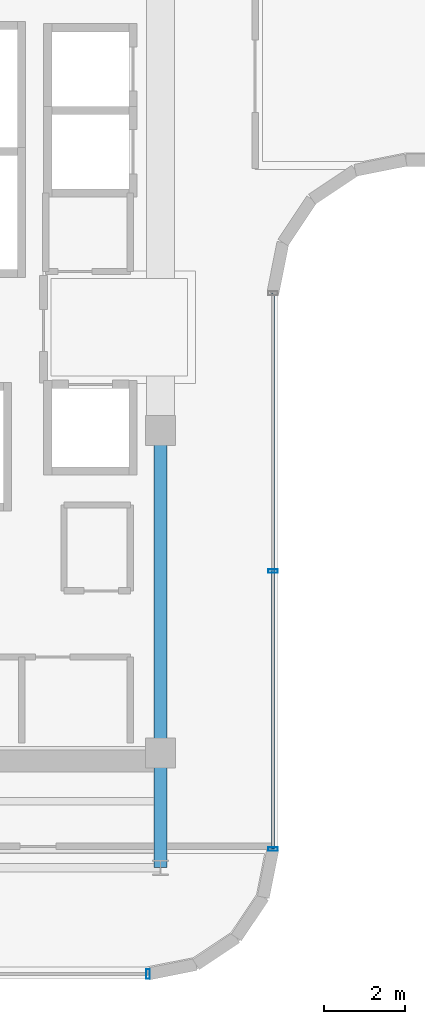
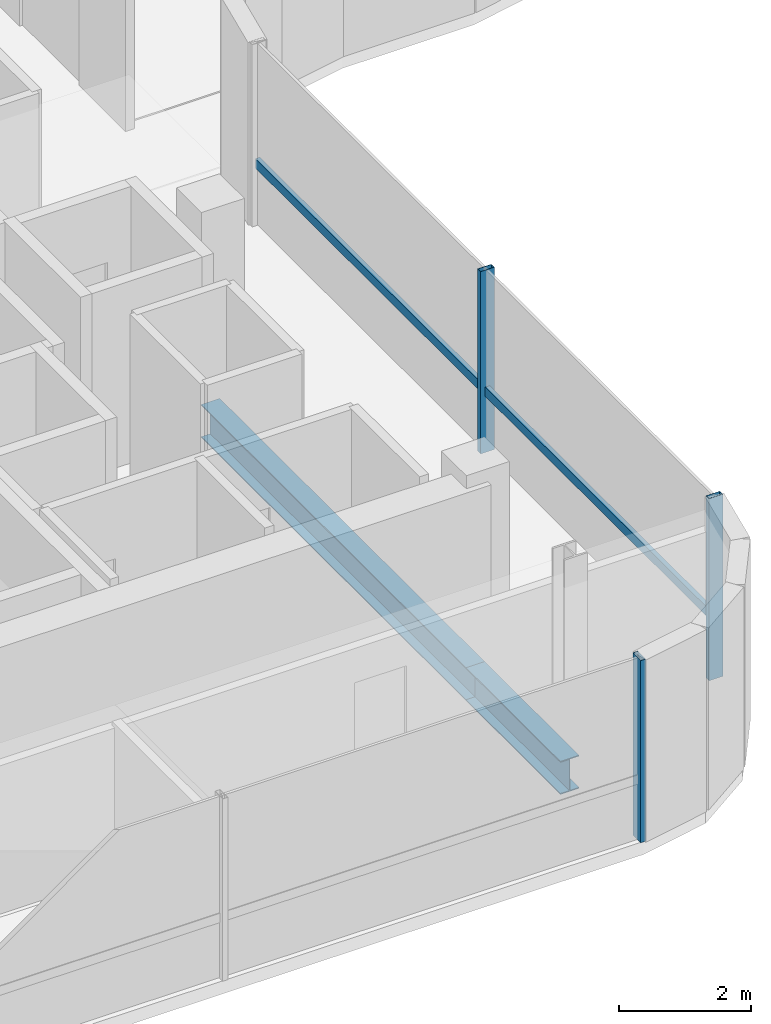
# One storey, part 4 of 17: 4 members, 2 beams, 2 elements without a shape of their own.
"""IFC4 building model written with IfcOpenShell, lengths in metres."""

from ifc_helpers import new_model, si_unit, direction, frame, origin, origin_2d, place, context, subcontext, project, spatial, hollow_rectangle, i_section, extrude, source, transform, mapped, material, material_profile, profile_set, type_object, element, aggregate, save


model = new_model("IFC4")

# Units and contexts
model_context = context("Model", 3, precision=1e-05, world=origin(), true_north=direction((0.0, 1.0)))
body_context = subcontext(model_context, "Body", "Model", "MODEL_VIEW")
ifc_project = project(units=[si_unit("LENGTHUNIT", "METRE"), si_unit("AREAUNIT", "SQUARE_METRE"), si_unit("VOLUMEUNIT", "CUBIC_METRE"), si_unit("PLANEANGLEUNIT", "RADIAN"), si_unit("MASSUNIT", "GRAM", prefix="KILO")], contexts=[model_context])

# Site, building, storey
site_placement = place(None, origin())
site = spatial("IfcSite", under=ifc_project, at=site_placement, CompositionType="ELEMENT")
building_placement = place(site_placement, origin())
building = spatial("IfcBuilding", under=site, at=building_placement, Name="Valdorenza Pilgrim Sanctuary Tower", CompositionType="ELEMENT")
storey_placement = place(building_placement, frame((0.0, 0.0, 287.0)))
storey = spatial("IfcBuildingStorey", under=building, at=storey_placement, Name="L75", CompositionType="ELEMENT", Elevation=287.0)

# Beams
ifc_material_1 = material(Name="Steel ASTM A992 Grade 50", Category="steel")
ifc_material_profile_1 = material_profile(ifc_material_1, i_section(OverallWidth=0.323974609375, OverallDepth=0.611083984375, WebThickness=0.0126953125, FlangeThickness=0.01904296875, at=origin_2d()), Name="W24X104")
ifc_profile_set_1 = profile_set([ifc_material_profile_1], Name="Steel ASTM A992 Grade 50")
beam_type = type_object("IfcBeamType", Name="STR-BM-GRD-W24B", PredefinedType="BEAM", material=ifc_profile_set_1)
shared_shape_1 = source(origin(), body_context, "Body", "SweptSolid", [
    extrude(i_section(OverallWidth=0.323974609375, OverallDepth=0.611083984375, WebThickness=0.0126953125, FlangeThickness=0.01904296875, at=origin_2d()), origin(), (0.0, 0.0, 1.0), 8.0),
])
beam_1_placement = place(storey_placement, frame((-12.39990234375, -10.60009765625, -0.54541015625), z_axis=(0.0, 1.0, 0.0), x_axis=(-1.0, 0.0, 0.0)))
element("IfcBeam", 1, at=beam_1_placement, inside=storey, type_object=beam_type, Name="L75 Core Tie Girder CA-E-S1M0", PredefinedType="BEAM", context=body_context, shape_type="MappedRepresentation", body=[
    mapped(shared_shape_1, transform((0.0, 0.0, 0.0), x_axis=(1.0, 0.0, 0.0), y_axis=(0.0, 1.0, 0.0), z_axis=(0.0, 0.0, 1.0), scale=1.0)),
])
shared_shape_2 = source(origin(), body_context, "Body", "SweptSolid", [
    extrude(i_section(OverallWidth=0.323974609375, OverallDepth=0.611083984375, WebThickness=0.0126953125, FlangeThickness=0.01904296875, at=origin_2d()), origin(), (0.0, 0.0, 1.0), 2.849853515625),
])
beam_2_placement = place(storey_placement, frame((-12.39990234375, -13.449951171875, -0.54541015625), z_axis=(0.0, 1.0, 0.0), x_axis=(-1.0, 0.0, 0.0)))
element("IfcBeam", 2, at=beam_2_placement, inside=storey, type_object=beam_type, Name="L75 Floor Girder WA-S-LE", PredefinedType="BEAM", context=body_context, shape_type="MappedRepresentation", body=[
    mapped(shared_shape_2, transform((0.0, 0.0, 0.0), x_axis=(1.0, 0.0, 0.0), y_axis=(0.0, 1.0, 0.0), z_axis=(0.0, 0.0, 1.0), scale=1.0)),
])

# Curtain wall, members
ifc_material_2 = material(Name="Curtain-wall IGU glazing", Category="glass")
curtain_wall_type = type_object("IfcCurtainWallType", Name="CW-SYS-04", PredefinedType="NOTDEFINED", material=ifc_material_2)
curtain_wall_1_placement = place(storey_placement, origin())
curtain_wall_1 = element("IfcCurtainWall", 3, at=curtain_wall_1_placement, inside=storey, type_object=curtain_wall_type, Name="L75 Curtain Wall CW-L75-1-21", PredefinedType="NOTDEFINED")
ifc_material_3 = material(Name="Anodised aluminium AW-6060", Category="aluminium")
ifc_material_profile_2 = material_profile(ifc_material_3, hollow_rectangle(XDim=0.090087890625, YDim=0.239990234375, WallThickness=0.0048828125, at=origin_2d()), Name="ALU-M 240x90x5")
ifc_profile_set_2 = profile_set([ifc_material_profile_2], Name="Anodised aluminium AW-6060")
member_type_1 = type_object("IfcMemberType", Name="CW-MUL-04", PredefinedType="MULLION", material=ifc_profile_set_2)
shared_shape_3 = source(origin(), body_context, "Body", "SweptSolid", [
    extrude(hollow_rectangle(XDim=0.090087890625, YDim=0.239990234375, WallThickness=0.0048828125, at=origin_2d()), origin(), (0.0, 0.0, 1.0), 3.360107421875),
])
member_1_placement = place(storey_placement, frame((-9.610107421875, -6.089111328125, 0.0), z_axis=(0.0, 0.0, 1.0), x_axis=(0.0, -1.0, 0.0)))
member_1 = element("IfcMember", 4, at=member_1_placement, type_object=member_type_1, Name="CW-L75-1-21 Mullion 2", PredefinedType="MULLION", context=body_context, shape_type="MappedRepresentation", body=[
    mapped(shared_shape_3, transform((0.0, 0.0, 0.0), x_axis=(1.0, 0.0, 0.0), y_axis=(0.0, 1.0, 0.0), z_axis=(0.0, 0.0, 1.0), scale=1.0)),
])
member_2_placement = place(storey_placement, frame((-9.610107421875, -12.9892578125, 0.0), z_axis=(0.0, 0.0, 1.0), x_axis=(0.0, -1.0, 0.0)))
member_2 = element("IfcMember", 5, at=member_2_placement, type_object=member_type_1, Name="CW-L75-1-21 Mullion 3", PredefinedType="MULLION", context=body_context, shape_type="MappedRepresentation", body=[
    mapped(shared_shape_3, transform((0.0, 0.0, 0.0), x_axis=(1.0, 0.0, 0.0), y_axis=(0.0, 1.0, 0.0), z_axis=(0.0, 0.0, 1.0), scale=1.0)),
])

# Curtain wall, member
curtain_wall_2_placement = place(storey_placement, origin())
curtain_wall_2 = element("IfcCurtainWall", 6, at=curtain_wall_2_placement, inside=storey, type_object=curtain_wall_type, Name="L75 Curtain Wall CW-L75-1-26", PredefinedType="NOTDEFINED")
member_3_placement = place(storey_placement, frame((-12.710693359375, -16.090087890625, 0.0), z_axis=(0.0, 0.0, 1.0), x_axis=(-1.0, 0.0, 0.0)))
member_3 = element("IfcMember", 7, at=member_3_placement, type_object=member_type_1, Name="CW-L75-1-26 Mullion 1", PredefinedType="MULLION", context=body_context, shape_type="MappedRepresentation", body=[
    mapped(shared_shape_3, transform((0.0, 0.0, 0.0), x_axis=(1.0, 0.0, 0.0), y_axis=(0.0, 1.0, 0.0), z_axis=(0.0, 0.0, 1.0), scale=1.0)),
])
aggregate(curtain_wall_2, [member_3])

# Member
ifc_material_profile_3 = material_profile(ifc_material_3, hollow_rectangle(XDim=0.080078125, YDim=0.169921875, WallThickness=0.00390625, at=origin_2d()), Name="ALU-T 170x80x4")
ifc_profile_set_3 = profile_set([ifc_material_profile_3], Name="Anodised aluminium AW-6060")
member_type_2 = type_object("IfcMemberType", Name="CW-TRN-04", PredefinedType="USERDEFINED", material=ifc_profile_set_3)
shared_shape_4 = source(origin(), body_context, "Body", "SweptSolid", [
    extrude(hollow_rectangle(XDim=0.080078125, YDim=0.169921875, WallThickness=0.00390625, at=origin_2d()), origin(), (0.0, 0.0, 1.0), 13.800048828125),
])
member_4_placement = place(storey_placement, frame((-9.610107421875, 0.810791015625, 1.1201171875), z_axis=(0.0, -1.0, 0.0), x_axis=(1.0, 0.0, 0.0)))
member_4 = element("IfcMember", 8, at=member_4_placement, type_object=member_type_2, Name="CW-L75-1-21 Transom 1", ObjectType="TRANSOM", PredefinedType="USERDEFINED", context=body_context, shape_type="MappedRepresentation", body=[
    mapped(shared_shape_4, transform((0.0, 0.0, 0.0), x_axis=(1.0, 0.0, 0.0), y_axis=(0.0, 1.0, 0.0), z_axis=(0.0, 0.0, 1.0), scale=1.0)),
])

aggregate(curtain_wall_1, [member_1, member_2, member_4])

save(model, "model.ifc")
